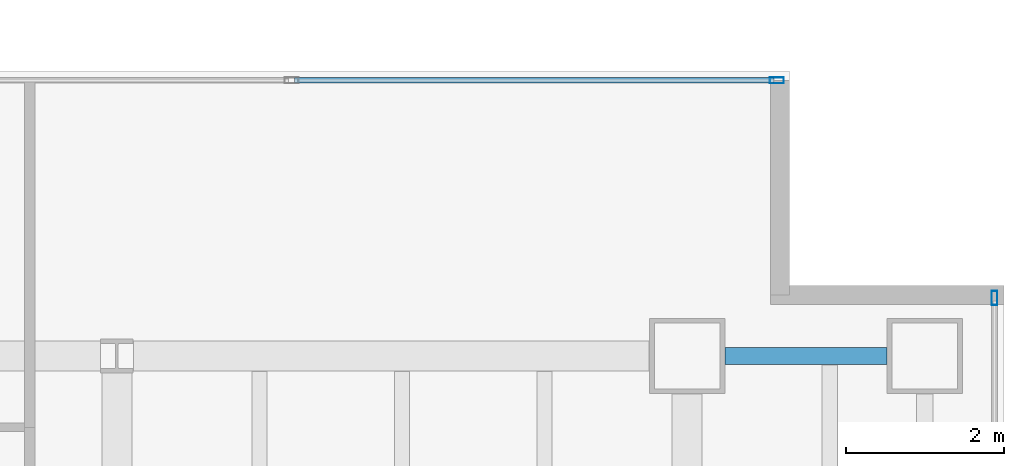
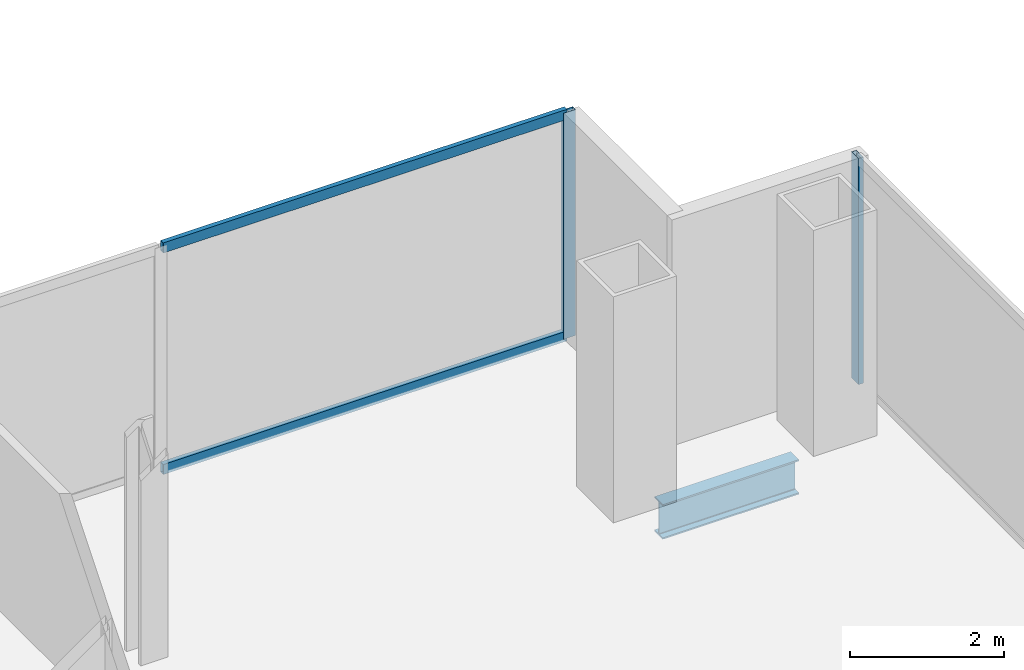
# One storey, part 15 of 23: 4 members, 1 beam, 2 elements without a shape of their own.
"""IFC4 building model written with IfcOpenShell, lengths in metres."""

from ifc_helpers import new_model, si_unit, direction, frame, origin, origin_2d, place, context, subcontext, project, spatial, hollow_rectangle, i_section, extrude, material, material_profile, profile_set, type_object, element, aggregate, save


model = new_model("IFC4")

# Units and contexts
model_context = context("Model", 3, precision=1e-05, world=origin(), true_north=direction((0.0, 1.0)))
body_context = subcontext(model_context, "Body", "Model", "MODEL_VIEW")
ifc_project = project(units=[si_unit("LENGTHUNIT", "METRE"), si_unit("AREAUNIT", "SQUARE_METRE"), si_unit("VOLUMEUNIT", "CUBIC_METRE"), si_unit("PLANEANGLEUNIT", "RADIAN"), si_unit("MASSUNIT", "GRAM", prefix="KILO")], contexts=[model_context])

# Site, building, storey
site_placement = place(None, origin())
site = spatial("IfcSite", under=ifc_project, at=site_placement, CompositionType="ELEMENT")
building_placement = place(site_placement, origin())
building = spatial("IfcBuilding", under=site, at=building_placement, Name="Cobrela Telecom Tower", CompositionType="ELEMENT")
storey_placement = place(building_placement, frame((0.0, 0.0, 109.89990234375)))
storey = spatial("IfcBuildingStorey", under=building, at=storey_placement, Name="L27", CompositionType="ELEMENT", Elevation=109.89990234375)

# Beam
ifc_material_1 = material(Name="Steel ASTM A992 Grade 50", Category="steel")
ifc_material_profile_1 = material_profile(ifc_material_1, i_section(OverallWidth=0.212890625, OverallDepth=0.549072265625, WebThickness=0.0146484375, FlangeThickness=0.023681640625, FilletRadius=0.013916015625, at=origin_2d()), Name="W21X93")
ifc_profile_set_1 = profile_set([ifc_material_profile_1], Name="Steel ASTM A992 Grade 50")
beam_type = type_object("IfcBeamType", Name="BM-SPAND-03", PredefinedType="SPANDREL", material=ifc_profile_set_1)
beam_placement = place(storey_placement, frame((43.679931640625, 21.60009765625, -0.54443359375), z_axis=(1.0, 0.0, 0.0), x_axis=(0.0, 1.0, 0.0)))
element("IfcBeam", 1, at=beam_placement, inside=storey, type_object=beam_type, Name="L27 Perimeter Spandrel X22", PredefinedType="SPANDREL", context=body_context, shape_type="SweptSolid", body=[
    extrude(i_section(OverallWidth=0.212890625, OverallDepth=0.549072265625, WebThickness=0.0146484375, FlangeThickness=0.023681640625, FilletRadius=0.013916015625, at=origin_2d()), origin(), (0.0, 0.0, 1.0), 2.0400390625),
])

# Curtain wall, member
ifc_material_2 = material(Name="Anodized Bronze Aluminium 6063-T6", Category="aluminium")
curtain_wall_type = type_object("IfcCurtainWallType", Name="CW-SYS-TEL", PredefinedType="USERDEFINED", material=ifc_material_2)
curtain_wall_1_placement = place(storey_placement, origin())
curtain_wall_1 = element("IfcCurtainWall", 2, at=curtain_wall_1_placement, inside=storey, type_object=curtain_wall_type, Name="L27 Unitised Bronze Curtain Wall 11", ObjectType="UNITISED CURTAIN WALL", PredefinedType="USERDEFINED")
ifc_material_profile_2 = material_profile(ifc_material_2, hollow_rectangle(XDim=0.074951171875, YDim=0.179931640625, WallThickness=0.00390625, at=origin_2d()), Name="ALU 75x180x4")
ifc_profile_set_2 = profile_set([ifc_material_profile_2], Name="Anodized Bronze Aluminium 6063-T6")
member_type_1 = type_object("IfcMemberType", Name="CW-SYS-TEL-MUL", PredefinedType="MULLION", material=ifc_profile_set_2)
member_1_placement = place(storey_placement, frame((44.33251953125, 25.080078125, 0.0), z_axis=(0.0, 0.0, 1.0), x_axis=(0.0, 1.0, 0.0)))
member_1 = element("IfcMember", 3, at=member_1_placement, type_object=member_type_1, Name="CW-TEL mullion 4", PredefinedType="MULLION", context=body_context, shape_type="SweptSolid", body=[
    extrude(hollow_rectangle(XDim=0.074951171875, YDim=0.179931640625, WallThickness=0.00390625, at=origin_2d()), origin(), (0.0, 0.0, 1.0), 3.580078125),
])

curtain_wall_2_placement = place(storey_placement, origin())
curtain_wall_2 = element("IfcCurtainWall", 4, at=curtain_wall_2_placement, inside=storey, type_object=curtain_wall_type, Name="L27 Unitised Bronze Curtain Wall 14", ObjectType="UNITISED CURTAIN WALL", PredefinedType="USERDEFINED")
member_2_placement = place(storey_placement, frame((47.080078125, 22.33251953125, 0.0), z_axis=(0.0, 0.0, 1.0), x_axis=(1.0, 0.0, 0.0)))
member_2 = element("IfcMember", 5, at=member_2_placement, type_object=member_type_1, Name="CW-TEL mullion 1", PredefinedType="MULLION", context=body_context, shape_type="SweptSolid", body=[
    extrude(hollow_rectangle(XDim=0.074951171875, YDim=0.179931640625, WallThickness=0.00390625, at=origin_2d()), origin(), (0.0, 0.0, 1.0), 3.580078125),
])
aggregate(curtain_wall_2, [member_2])

# Member
ifc_material_profile_3 = material_profile(ifc_material_2, hollow_rectangle(XDim=0.070068359375, YDim=0.159912109375, WallThickness=0.00390625, at=origin_2d()), Name="ALU 70x160x4")
ifc_profile_set_3 = profile_set([ifc_material_profile_3], Name="Anodized Bronze Aluminium 6063-T6")
member_type_2 = type_object("IfcMemberType", Name="CW-SYS-TEL-TRN", PredefinedType="USERDEFINED", material=ifc_profile_set_3)
member_3_placement = place(storey_placement, frame((38.244140625, 25.080078125, 0.03515625), z_axis=(1.0, 0.0, 0.0), x_axis=(0.0, 1.0, 0.0)))
member_3 = element("IfcMember", 6, at=member_3_placement, type_object=member_type_2, Name="CW-TEL transom 3.1", ObjectType="TRANSOM", PredefinedType="USERDEFINED", context=body_context, shape_type="SweptSolid", body=[
    extrude(hollow_rectangle(XDim=0.070068359375, YDim=0.159912109375, WallThickness=0.00390625, at=origin_2d()), origin(), (0.0, 0.0, 1.0), 6.05078125),
])

member_4_placement = place(storey_placement, frame((38.244140625, 25.080078125, 3.545166015625), z_axis=(1.0, 0.0, 0.0), x_axis=(0.0, 1.0, 0.0)))
member_4 = element("IfcMember", 7, at=member_4_placement, type_object=member_type_2, Name="CW-TEL transom 3.2", ObjectType="TRANSOM", PredefinedType="USERDEFINED", context=body_context, shape_type="SweptSolid", body=[
    extrude(hollow_rectangle(XDim=0.070068359375, YDim=0.159912109375, WallThickness=0.00390625, at=origin_2d()), origin(), (0.0, 0.0, 1.0), 6.05078125),
])

aggregate(curtain_wall_1, [member_1, member_3, member_4])

save(model, "model.ifc")
